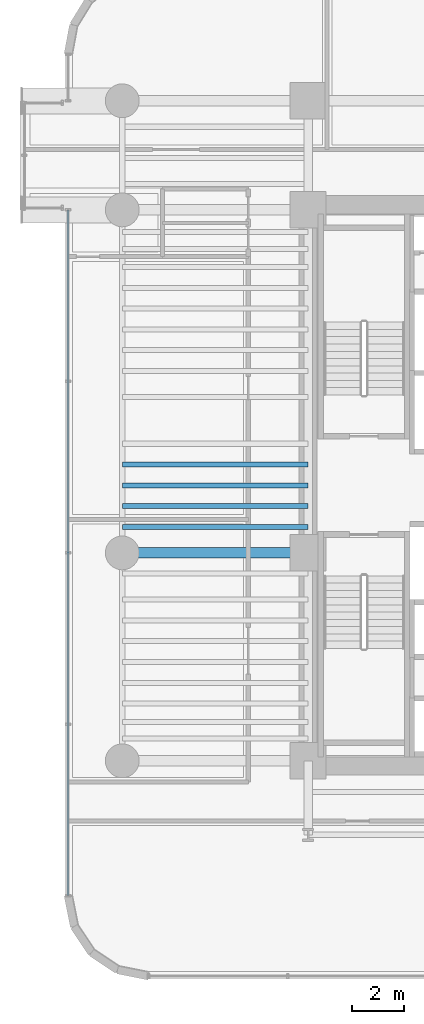
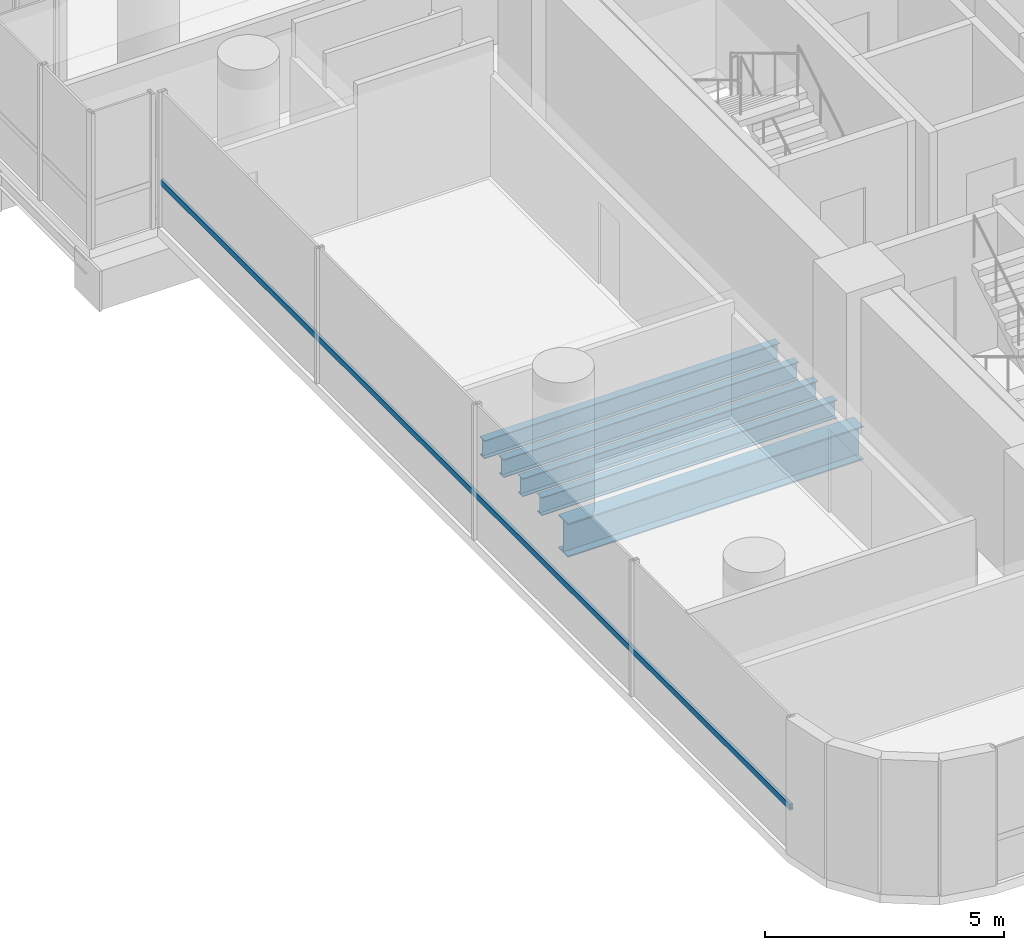
# One storey, part 9 of 40: 5 beams, 1 member, 1 element without a shape of its own.
"""IFC4 building model written with IfcOpenShell, lengths in metres."""

from ifc_helpers import new_model, si_unit, direction, frame, origin, origin_2d, place, context, subcontext, project, spatial, hollow_rectangle, i_section, extrude, source, transform, mapped, material, material_profile, profile_set, type_object, element, aggregate, save


model = new_model("IFC4")

# Units and contexts
model_context = context("Model", 3, precision=1e-05, world=origin(), true_north=direction((0.0, 1.0)))
body_context = subcontext(model_context, "Body", "Model", "MODEL_VIEW")
ifc_project = project(units=[si_unit("LENGTHUNIT", "METRE"), si_unit("AREAUNIT", "SQUARE_METRE"), si_unit("VOLUMEUNIT", "CUBIC_METRE"), si_unit("PLANEANGLEUNIT", "RADIAN"), si_unit("MASSUNIT", "GRAM", prefix="KILO")], contexts=[model_context])

# Site, building, storey
site_placement = place(None, origin())
site = spatial("IfcSite", under=ifc_project, at=site_placement, CompositionType="ELEMENT")
building_placement = place(site_placement, origin())
building = spatial("IfcBuilding", under=site, at=building_placement, Name="Valdorenza Pilgrim Sanctuary Tower", CompositionType="ELEMENT")
storey_placement = place(building_placement, frame((0.0, 0.0, 51.89990234375)))
storey = spatial("IfcBuildingStorey", under=building, at=storey_placement, Name="L12", CompositionType="ELEMENT", Elevation=51.89990234375)

# Beams
ifc_material_1 = material(Name="Steel ASTM A992 Grade 50", Category="steel")
ifc_material_profile_1 = material_profile(ifc_material_1, i_section(OverallWidth=0.193115234375, OverallDepth=0.466064453125, WebThickness=0.011474609375, FlangeThickness=0.01904296875, at=origin_2d()), Name="W18X65")
ifc_profile_set_1 = profile_set([ifc_material_profile_1], Name="Steel ASTM A992 Grade 50")
beam_type_1 = type_object("IfcBeamType", Name="STR-BM-JST-W18A", PredefinedType="JOIST", material=ifc_profile_set_1)
shared_shape_1 = source(origin(), body_context, "Body", "SweptSolid", [
    extrude(i_section(OverallWidth=0.193115234375, OverallDepth=0.466064453125, WebThickness=0.011474609375, FlangeThickness=0.01904296875, at=origin_2d()), origin(), (0.0, 0.0, 1.0), 7.150146484375),
])
for number, where, z_axis, x_axis, name in (
    (1, (-29.800048828125, -1.60009765625, -0.472900390625), (1.0, 0.0, 0.0), (0.0, 1.0, 0.0), "L12 Composite Floor Joist JST-WA-10"),
    (2, (-29.800048828125, -0.800048828125, -0.472900390625), (1.0, 0.0, 0.0), (0.0, 1.0, 0.0), "L12 Composite Floor Joist JST-WA-11"),
    (3, (-29.800048828125, 0.0, -0.472900390625), (1.0, 0.0, 0.0), (0.0, 1.0, 0.0), "L12 Composite Floor Joist JST-WA-12"),
    (4, (-29.800048828125, 0.800048828125, -0.472900390625), (1.0, 0.0, 0.0), (0.0, 1.0, 0.0), "L12 Composite Floor Joist JST-WA-13"),
):
    element("IfcBeam", number, at=place(storey_placement, frame(where, z_axis=z_axis, x_axis=x_axis)), inside=storey, type_object=beam_type_1, Name=name, PredefinedType="JOIST", context=body_context, shape_type="MappedRepresentation", body=[
        mapped(shared_shape_1, transform((0.0, 0.0, 0.0), x_axis=(1.0, 0.0, 0.0), y_axis=(0.0, 1.0, 0.0), z_axis=(0.0, 0.0, 1.0), scale=1.0)),
    ])
ifc_material_profile_2 = material_profile(ifc_material_1, i_section(OverallWidth=0.39990234375, OverallDepth=0.862060546875, WebThickness=0.019775390625, FlangeThickness=0.032470703125, at=origin_2d()), Name="W33X221")
ifc_profile_set_2 = profile_set([ifc_material_profile_2], Name="Steel ASTM A992 Grade 50")
beam_type_2 = type_object("IfcBeamType", Name="STR-BM-GRD-W33", PredefinedType="BEAM", material=ifc_profile_set_2)
shared_shape_2 = source(origin(), body_context, "Body", "SweptSolid", [
    extrude(i_section(OverallWidth=0.39990234375, OverallDepth=0.862060546875, WebThickness=0.019775390625, FlangeThickness=0.032470703125, at=origin_2d()), origin(), (0.0, 0.0, 1.0), 7.150146484375),
])
beam_placement = place(storey_placement, frame((-29.800048828125, -2.60009765625, -0.6708984375), z_axis=(1.0, 0.0, 0.0), x_axis=(0.0, 1.0, 0.0)))
element("IfcBeam", 5, at=beam_placement, inside=storey, type_object=beam_type_2, Name="L12 Floor Girder WA-XW-M0", PredefinedType="BEAM", context=body_context, shape_type="MappedRepresentation", body=[
    mapped(shared_shape_2, transform((0.0, 0.0, 0.0), x_axis=(1.0, 0.0, 0.0), y_axis=(0.0, 1.0, 0.0), z_axis=(0.0, 0.0, 1.0), scale=1.0)),
])

# Curtain wall, member
ifc_material_2 = material(Name="Curtain-wall IGU glazing", Category="glass")
curtain_wall_type = type_object("IfcCurtainWallType", Name="CW-SYS-02", PredefinedType="NOTDEFINED", material=ifc_material_2)
curtain_wall_placement = place(storey_placement, origin())
curtain_wall = element("IfcCurtainWall", 6, at=curtain_wall_placement, inside=storey, type_object=curtain_wall_type, Name="L12 Curtain Wall CW-L12-1-1S1", PredefinedType="NOTDEFINED")
ifc_material_3 = material(Name="Anodised aluminium AW-6060", Category="aluminium")
ifc_material_profile_3 = material_profile(ifc_material_3, hollow_rectangle(XDim=0.074951171875, YDim=0.14990234375, WallThickness=0.00390625, at=origin_2d()), Name="ALU-T 150x75x4")
ifc_profile_set_3 = profile_set([ifc_material_profile_3], Name="Anodised aluminium AW-6060")
member_type = type_object("IfcMemberType", Name="CW-TRN-02", PredefinedType="USERDEFINED", material=ifc_profile_set_3)
shared_shape_3 = source(origin(), body_context, "Body", "SweptSolid", [
    extrude(hollow_rectangle(XDim=0.074951171875, YDim=0.14990234375, WallThickness=0.00390625, at=origin_2d()), origin(), (0.0, 0.0, 1.0), 26.389404296875),
])
member_placement = place(storey_placement, frame((-31.889892578125, -15.789306640625, 1.1201171875), z_axis=(0.0, 1.0, 0.0), x_axis=(-1.0, 0.0, 0.0)))
member = element("IfcMember", 7, at=member_placement, type_object=member_type, Name="CW-L12-1-1S1 Transom 1", ObjectType="TRANSOM", PredefinedType="USERDEFINED", context=body_context, shape_type="MappedRepresentation", body=[
    mapped(shared_shape_3, transform((0.0, 0.0, 0.0), x_axis=(1.0, 0.0, 0.0), y_axis=(0.0, 1.0, 0.0), z_axis=(0.0, 0.0, 1.0), scale=1.0)),
])
aggregate(curtain_wall, [member])

save(model, "model.ifc")
